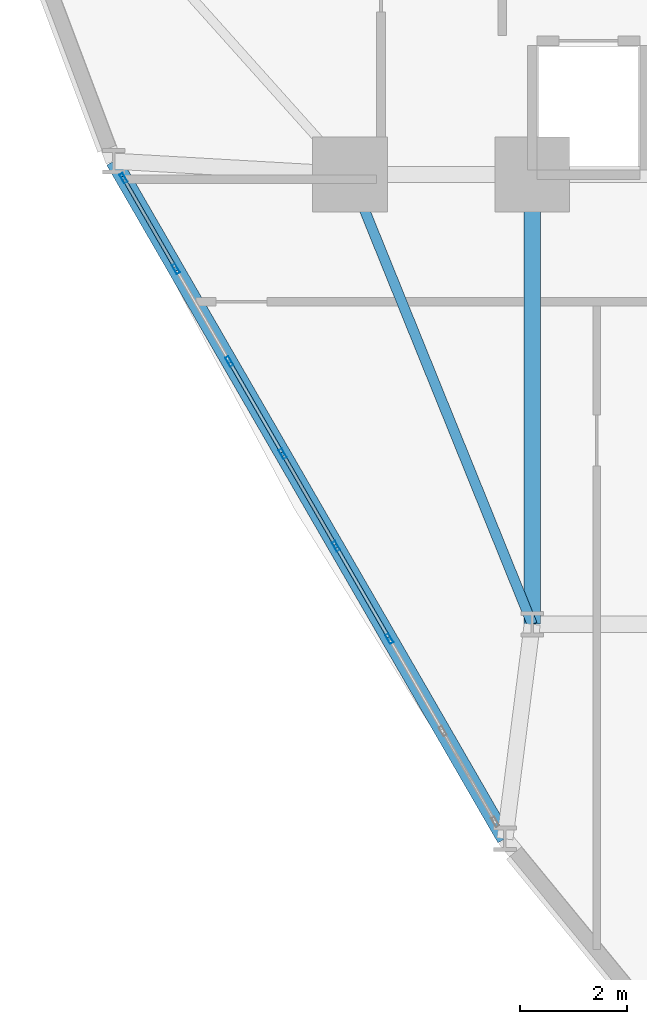
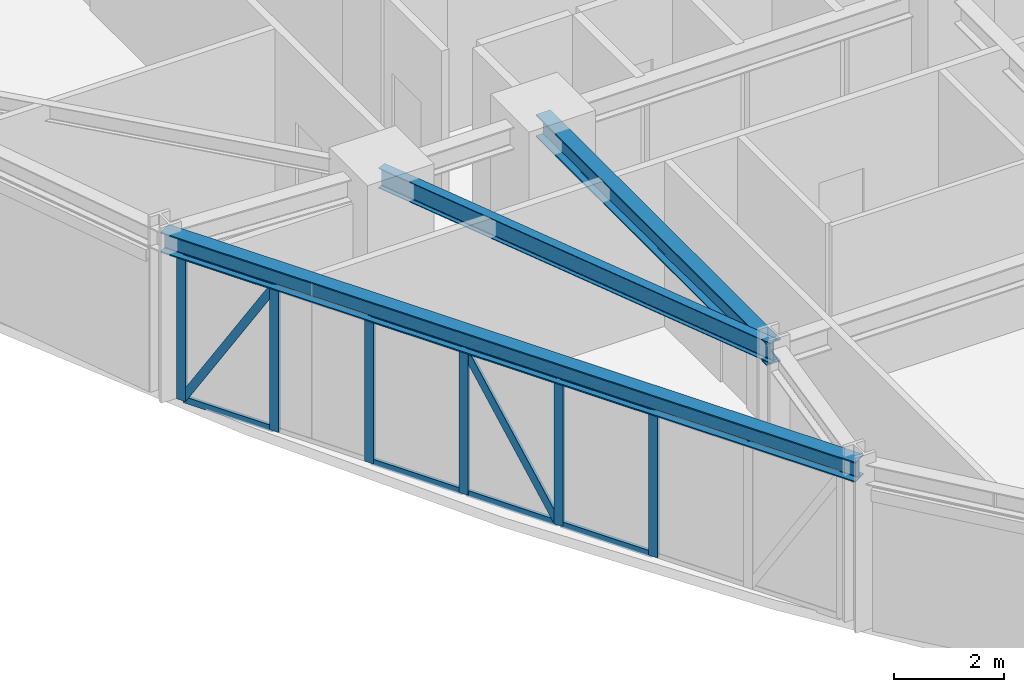
# One storey, part 4 of 20: 16 members, 3 beams, 1 element without a shape of its own.
"""IFC4 building model written with IfcOpenShell, lengths in metres."""

from ifc_helpers import new_model, si_unit, derived_unit, direction, frame, origin, origin_2d, place, context, subcontext, project, spatial, hollow_rectangle, i_section, extrude, source, transform, mapped, material, layer, layer_set, material_profile, profile_set, type_object, element, aggregate, save


model = new_model("IFC4")

# Units and contexts
model_context = context("Model", 3, precision=1e-05, world=origin(), true_north=direction((0.0, 1.0)))
body_context = subcontext(model_context, "Body", "Model", "MODEL_VIEW")
ifc_project = project(units=[si_unit("LENGTHUNIT", "METRE"), si_unit("AREAUNIT", "SQUARE_METRE"), si_unit("VOLUMEUNIT", "CUBIC_METRE"), si_unit("PLANEANGLEUNIT", "RADIAN"), si_unit("MASSUNIT", "GRAM", prefix="KILO"), derived_unit("THERMALTRANSMITTANCEUNIT", [(si_unit("POWERUNIT", "WATT"), 1), (si_unit("LENGTHUNIT", "METRE"), -2), (si_unit("THERMODYNAMICTEMPERATUREUNIT", "KELVIN"), -1)])], contexts=[model_context])

# Site, building, storey
site_placement = place(None, origin())
site = spatial("IfcSite", under=ifc_project, at=site_placement, CompositionType="ELEMENT")
building_placement = place(site_placement, origin())
building = spatial("IfcBuilding", under=site, at=building_placement, Name="Korsvarv Bourse and Concert Hall", CompositionType="ELEMENT")
storey_placement = place(building_placement, frame((0.0, 0.0, 91.199951171875)))
storey = spatial("IfcBuildingStorey", under=building, at=storey_placement, Name="L22", CompositionType="ELEMENT", Elevation=91.199951171875)

# Beams
ifc_material_1 = material(Name="Steel S355", Category="steel")
ifc_material_profile_1 = material_profile(ifc_material_1, i_section(OverallWidth=0.300048828125, OverallDepth=0.5, WebThickness=0.014404296875, FlangeThickness=0.028076171875, FilletRadius=0.02392578125, at=origin_2d()), Name="HEB 500")
ifc_profile_set_1 = profile_set([ifc_material_profile_1], Name="Steel S355")
beam_type_1 = type_object("IfcBeamType", Name="BM-HEB500", PredefinedType="BEAM", material=ifc_profile_set_1)
shared_shape_1 = source(origin(), body_context, "Body", "SweptSolid", [
    extrude(i_section(OverallWidth=0.300048828125, OverallDepth=0.5, WebThickness=0.014404296875, FlangeThickness=0.028076171875, FilletRadius=0.02392578125, at=origin_2d()), origin(), (0.0, 0.0, 1.0), 8.39990234375),
])
beam_1_placement = place(storey_placement, frame((27.60009765625, 24.0, 3.429931640625), z_axis=(0.0, 1.0, 0.0), x_axis=(-1.0, 0.0, 0.0)))
element("IfcBeam", 1, at=beam_1_placement, inside=storey, type_object=beam_type_1, Name="L22 beam B-07", PredefinedType="BEAM", context=body_context, shape_type="MappedRepresentation", body=[
    mapped(shared_shape_1, transform((0.0, 0.0, 0.0), scale=1.0)),
])
ifc_material_profile_2 = material_profile(ifc_material_1, i_section(OverallWidth=0.18994140625, OverallDepth=0.449951171875, WebThickness=0.009521484375, FlangeThickness=0.0146484375, FilletRadius=0.02099609375, at=origin_2d()), Name="IPE 450")
ifc_profile_set_2 = profile_set([ifc_material_profile_2], Name="Steel S355")
beam_type_2 = type_object("IfcBeamType", Name="BM-IPE450", PredefinedType="JOIST", material=ifc_profile_set_2)
shared_shape_2 = source(origin(), body_context, "Body", "SweptSolid", [
    extrude(i_section(OverallWidth=0.18994140625, OverallDepth=0.449951171875, WebThickness=0.009521484375, FlangeThickness=0.0146484375, FilletRadius=0.02099609375, at=origin_2d()), origin(), (0.0, 0.0, 1.0), 9.06201171875),
])
beam_2_placement = place(storey_placement, frame((24.199951171875, 32.39990234375, 3.455078125), z_axis=(0.375210394783, -0.926939674222, 0.0), x_axis=(0.926939674222, 0.375210394783, 0.0)))
element("IfcBeam", 2, at=beam_2_placement, inside=storey, type_object=beam_type_2, Name="L22 beam J-04", PredefinedType="JOIST", context=body_context, shape_type="MappedRepresentation", body=[
    mapped(shared_shape_2, transform((0.0, 0.0, 0.0), scale=1.0)),
])
ifc_material_profile_3 = material_profile(ifc_material_1, i_section(OverallWidth=0.300048828125, OverallDepth=0.449951171875, WebThickness=0.013916015625, FlangeThickness=0.02587890625, FilletRadius=0.02099609375, at=origin_2d()), Name="HEB 450")
ifc_profile_set_3 = profile_set([ifc_material_profile_3], Name="Steel S355")
beam_type_3 = type_object("IfcBeamType", Name="BM-HEB450", PredefinedType="SPANDREL", material=ifc_profile_set_3)
shared_shape_3 = source(origin(), body_context, "Body", "SweptSolid", [
    extrude(i_section(OverallWidth=0.300048828125, OverallDepth=0.449951171875, WebThickness=0.013916015625, FlangeThickness=0.02587890625, FilletRadius=0.02099609375, at=origin_2d()), origin(), (0.0, 0.0, 1.0), 14.6181640625),
])
beam_3_placement = place(storey_placement, frame((19.781005859375, 32.65087890625, 3.455078125), z_axis=(0.500000991318, -0.866024831446, 0.0), x_axis=(0.866024831446, 0.500000991318, 0.0)))
element("IfcBeam", 3, at=beam_3_placement, inside=storey, type_object=beam_type_3, Name="L22 beam B-08", PredefinedType="SPANDREL", context=body_context, shape_type="MappedRepresentation", body=[
    mapped(shared_shape_3, transform((0.0, 0.0, 0.0), scale=1.0)),
])

# Curtain wall, members
ifc_material_2 = material(Name="Anodised aluminium and triple low-E glazing", Category="glass")
ifc_layer = layer(ifc_material_2, 0.219970703125)
ifc_layer_set = layer_set([ifc_layer], Name="Anodised aluminium and triple low-E glazing")
curtain_wall_type = type_object("IfcCurtainWallType", Name="CW-SYS-1", PredefinedType="NOTDEFINED", material=ifc_layer_set)
curtain_wall_placement = place(storey_placement, origin())
curtain_wall = element("IfcCurtainWall", 4, at=curtain_wall_placement, inside=storey, type_object=curtain_wall_type, Name="L22 CW1 curtain wall CW-L22-F07", PredefinedType="NOTDEFINED")
ifc_material_3 = material(Name="Extruded aluminium EN AW-6063 T66", Category="aluminium")
ifc_material_profile_4 = material_profile(ifc_material_3, hollow_rectangle(XDim=0.070068359375, YDim=0.18994140625, WallThickness=0.0048828125, at=origin_2d()), Name="ALU-M 70x190")
ifc_profile_set_4 = profile_set([ifc_material_profile_4], Name="Extruded aluminium EN AW-6063 T66")
member_type_1 = type_object("IfcMemberType", Name="CWM-190", PredefinedType="MULLION", material=ifc_profile_set_4)
shared_shape_4 = source(origin(), body_context, "Body", "SweptSolid", [
    extrude(hollow_rectangle(XDim=0.070068359375, YDim=0.18994140625, WallThickness=0.0048828125, at=origin_2d()), origin(), (0.0, 0.0, 1.0), 3.22998046875),
])
member_1_placement = place(storey_placement, frame((19.96435546875, 32.33349609375, 0.0), z_axis=(0.0, 0.0, 1.0), x_axis=(0.8660261613, 0.499998687942, 0.0)))
member_1 = element("IfcMember", 5, at=member_1_placement, type_object=member_type_1, Name="CW1 mullion 1", PredefinedType="MULLION", context=body_context, shape_type="MappedRepresentation", body=[
    mapped(shared_shape_4, transform((0.0, 0.0, 0.0), scale=1.0)),
])
member_2_placement = place(storey_placement, frame((20.943603515625, 30.637451171875, 0.0), z_axis=(0.0, 0.0, 1.0), x_axis=(0.8660261613, 0.499998687942, 0.0)))
member_2 = element("IfcMember", 6, at=member_2_placement, type_object=member_type_1, Name="CW1 mullion 2", PredefinedType="MULLION", context=body_context, shape_type="MappedRepresentation", body=[
    mapped(shared_shape_4, transform((0.0, 0.0, 0.0), scale=1.0)),
])
member_3_placement = place(storey_placement, frame((21.9404296875, 28.910888671875, 0.0), z_axis=(0.0, 0.0, 1.0), x_axis=(0.8660261613, 0.499998687942, 0.0)))
member_3 = element("IfcMember", 7, at=member_3_placement, type_object=member_type_1, Name="CW1 mullion 3", PredefinedType="MULLION", context=body_context, shape_type="MappedRepresentation", body=[
    mapped(shared_shape_4, transform((0.0, 0.0, 0.0), scale=1.0)),
])
member_4_placement = place(storey_placement, frame((22.937255859375, 27.184326171875, 0.0), z_axis=(0.0, 0.0, 1.0), x_axis=(0.8660261613, 0.499998687942, 0.0)))
member_4 = element("IfcMember", 8, at=member_4_placement, type_object=member_type_1, Name="CW1 mullion 4", PredefinedType="MULLION", context=body_context, shape_type="MappedRepresentation", body=[
    mapped(shared_shape_4, transform((0.0, 0.0, 0.0), scale=1.0)),
])
member_5_placement = place(storey_placement, frame((23.93408203125, 25.457763671875, 0.0), z_axis=(0.0, 0.0, 1.0), x_axis=(0.8660261613, 0.499998687942, 0.0)))
member_5 = element("IfcMember", 9, at=member_5_placement, type_object=member_type_1, Name="CW1 mullion 5", PredefinedType="MULLION", context=body_context, shape_type="MappedRepresentation", body=[
    mapped(shared_shape_4, transform((0.0, 0.0, 0.0), scale=1.0)),
])
member_6_placement = place(storey_placement, frame((24.930908203125, 23.7314453125, 0.0), z_axis=(0.0, 0.0, 1.0), x_axis=(0.8660261613, 0.499998687942, 0.0)))
member_6 = element("IfcMember", 10, at=member_6_placement, type_object=member_type_1, Name="CW1 mullion 6", PredefinedType="MULLION", context=body_context, shape_type="MappedRepresentation", body=[
    mapped(shared_shape_4, transform((0.0, 0.0, 0.0), scale=1.0)),
])
ifc_material_profile_5 = material_profile(ifc_material_3, hollow_rectangle(XDim=0.06494140625, YDim=0.139892578125, WallThickness=0.00390625, at=origin_2d()), Name="ALU-T 65x140")
ifc_profile_set_5 = profile_set([ifc_material_profile_5], Name="Extruded aluminium EN AW-6063 T66")
member_type_2 = type_object("IfcMemberType", Name="CWT-140", PredefinedType="USERDEFINED", material=ifc_profile_set_5)
shared_shape_5 = source(origin(), body_context, "Body", "SweptSolid", [
    extrude(hollow_rectangle(XDim=0.06494140625, YDim=0.139892578125, WallThickness=0.00390625, at=origin_2d()), origin(), (0.0, 0.0, 1.0), 1.888671875),
])
member_7_placement = place(storey_placement, frame((19.981689453125, 32.30322265625, 0.032470703125), z_axis=(0.500032047992, -0.866006900077, 0.0), x_axis=(0.866006900077, 0.500032047992, 0.0)))
member_7 = element("IfcMember", 11, at=member_7_placement, type_object=member_type_2, Name="CW1 transom 1.1", ObjectType="TRANSOM", PredefinedType="USERDEFINED", context=body_context, shape_type="MappedRepresentation", body=[
    mapped(shared_shape_5, transform((0.0, 0.0, 0.0), scale=1.0)),
])
member_8_placement = place(storey_placement, frame((19.981689453125, 32.30322265625, 3.197509765625), z_axis=(0.500032047992, -0.866006900077, 0.0), x_axis=(0.866006900077, 0.500032047992, 0.0)))
member_8 = element("IfcMember", 12, at=member_8_placement, type_object=member_type_2, Name="CW1 transom 1.2", ObjectType="TRANSOM", PredefinedType="USERDEFINED", context=body_context, shape_type="MappedRepresentation", body=[
    mapped(shared_shape_5, transform((0.0, 0.0, 0.0), scale=1.0)),
])
ifc_material_profile_6 = material_profile(ifc_material_3, hollow_rectangle(XDim=0.06494140625, YDim=0.1650390625, WallThickness=0.0048828125, at=origin_2d()), Name="ALU-M 65x165")
ifc_profile_set_6 = profile_set([ifc_material_profile_6], Name="Extruded aluminium EN AW-6063 T66")
member_type_3 = type_object("IfcMemberType", Name="CWM-165", PredefinedType="MULLION", material=ifc_profile_set_6)
shared_shape_6 = source(origin(), body_context, "Body", "SweptSolid", [
    extrude(hollow_rectangle(XDim=0.06494140625, YDim=0.1650390625, WallThickness=0.0048828125, at=origin_2d()), origin(), (0.0, 0.0, 1.0), 3.630126953125),
])
member_9_placement = place(storey_placement, frame((19.981689453125, 32.30322265625, 0.06494140625), z_axis=(0.260144386636, -0.450544789575, 0.854010708767), x_axis=(0.866006900077, 0.500032047992, 0.0)))
member_9 = element("IfcMember", 13, at=member_9_placement, type_object=member_type_3, Name="CW1 diagonal mullion 1", PredefinedType="MULLION", context=body_context, shape_type="MappedRepresentation", body=[
    mapped(shared_shape_6, transform((0.0, 0.0, 0.0), scale=1.0)),
])
shared_shape_7 = source(origin(), body_context, "Body", "SweptSolid", [
    extrude(hollow_rectangle(XDim=0.06494140625, YDim=0.139892578125, WallThickness=0.00390625, at=origin_2d()), origin(), (0.0, 0.0, 1.0), 1.923583984375),
])
member_10_placement = place(storey_placement, frame((21.9580078125, 28.880615234375, 0.032470703125), z_axis=(0.499920208923, -0.866071466283, 0.0), x_axis=(0.866071466283, 0.499920208923, 0.0)))
member_10 = element("IfcMember", 14, at=member_10_placement, type_object=member_type_2, Name="CW1 transom 3.1", ObjectType="TRANSOM", PredefinedType="USERDEFINED", context=body_context, shape_type="MappedRepresentation", body=[
    mapped(shared_shape_7, transform((0.0, 0.0, 0.0), scale=1.0)),
])
member_11_placement = place(storey_placement, frame((21.9580078125, 28.880615234375, 3.197509765625), z_axis=(0.499920208923, -0.866071466283, 0.0), x_axis=(0.866071466283, 0.499920208923, 0.0)))
member_11 = element("IfcMember", 15, at=member_11_placement, type_object=member_type_2, Name="CW1 transom 3.2", ObjectType="TRANSOM", PredefinedType="USERDEFINED", context=body_context, shape_type="MappedRepresentation", body=[
    mapped(shared_shape_7, transform((0.0, 0.0, 0.0), scale=1.0)),
])
member_12_placement = place(storey_placement, frame((23.951416015625, 25.427490234375, 0.032470703125), z_axis=(0.500070355328, -0.865984780306, 0.0), x_axis=(0.865984780306, 0.500070355328, 0.0)))
member_12 = element("IfcMember", 16, at=member_12_placement, type_object=member_type_2, Name="CW1 transom 5.1", ObjectType="TRANSOM", PredefinedType="USERDEFINED", context=body_context, shape_type="MappedRepresentation", body=[
    mapped(shared_shape_7, transform((0.0, 0.0, 0.0), scale=1.0)),
])
member_13_placement = place(storey_placement, frame((23.951416015625, 25.427490234375, 3.197509765625), z_axis=(0.500070355328, -0.865984780306, 0.0), x_axis=(0.865984780306, 0.500070355328, 0.0)))
member_13 = element("IfcMember", 17, at=member_13_placement, type_object=member_type_2, Name="CW1 transom 5.2", ObjectType="TRANSOM", PredefinedType="USERDEFINED", context=body_context, shape_type="MappedRepresentation", body=[
    mapped(shared_shape_7, transform((0.0, 0.0, 0.0), scale=1.0)),
])
shared_shape_8 = source(origin(), body_context, "Body", "SweptSolid", [
    extrude(hollow_rectangle(XDim=0.06494140625, YDim=0.139892578125, WallThickness=0.00390625, at=origin_2d()), origin(), (0.0, 0.0, 1.0), 1.923828125),
])
member_14_placement = place(storey_placement, frame((22.95458984375, 27.154052734375, 0.032470703125), z_axis=(0.500015396624, -0.866016514357, 0.0), x_axis=(0.866016514357, 0.500015396624, 0.0)))
member_14 = element("IfcMember", 18, at=member_14_placement, type_object=member_type_2, Name="CW1 transom 4.1", ObjectType="TRANSOM", PredefinedType="USERDEFINED", context=body_context, shape_type="MappedRepresentation", body=[
    mapped(shared_shape_8, transform((0.0, 0.0, 0.0), scale=1.0)),
])
member_15_placement = place(storey_placement, frame((22.95458984375, 27.154052734375, 3.197509765625), z_axis=(0.500015396624, -0.866016514357, 0.0), x_axis=(0.866016514357, 0.500015396624, 0.0)))
member_15 = element("IfcMember", 19, at=member_15_placement, type_object=member_type_2, Name="CW1 transom 4.2", ObjectType="TRANSOM", PredefinedType="USERDEFINED", context=body_context, shape_type="MappedRepresentation", body=[
    mapped(shared_shape_8, transform((0.0, 0.0, 0.0), scale=1.0)),
])
shared_shape_9 = source(origin(), body_context, "Body", "SweptSolid", [
    extrude(hollow_rectangle(XDim=0.06494140625, YDim=0.1650390625, WallThickness=0.0048828125, at=origin_2d()), origin(), (0.0, 0.0, 1.0), 3.6484375),
])
member_16_placement = place(storey_placement, frame((23.91650390625, 25.488037109375, 0.06494140625), z_axis=(-0.263647041796, 0.456631323152, 0.849692928103), x_axis=(-0.866016514357, -0.500015396624, 0.0)))
member_16 = element("IfcMember", 20, at=member_16_placement, type_object=member_type_3, Name="CW1 diagonal mullion 4", PredefinedType="MULLION", context=body_context, shape_type="MappedRepresentation", body=[
    mapped(shared_shape_9, transform((0.0, 0.0, 0.0), scale=1.0)),
])
aggregate(curtain_wall, [member_1, member_2, member_3, member_4, member_5, member_6, member_7, member_8, member_9, member_10, member_11, member_14, member_15, member_16, member_12, member_13])

save(model, "model.ifc")
